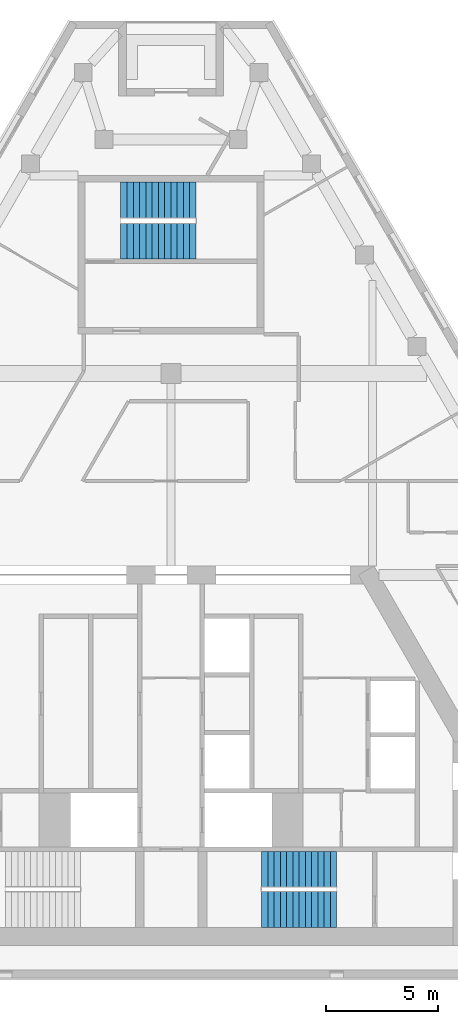
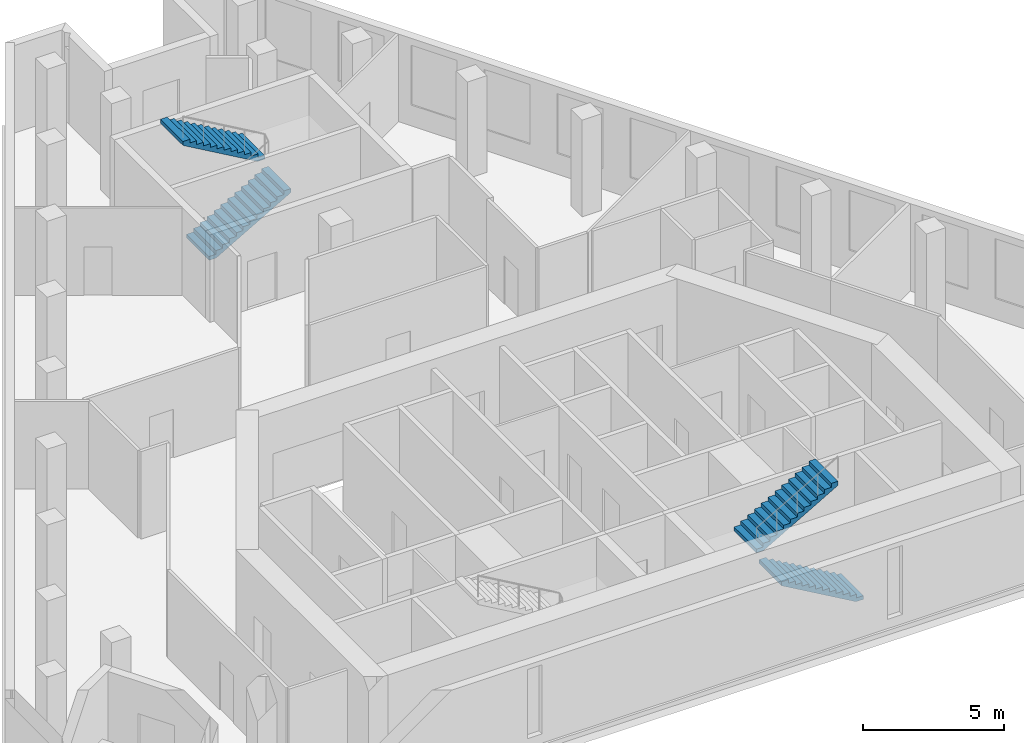
# One storey, part 7 of 8: 4 stair flights, 2 elements without a shape of their own.
"""IFC4 building model written with IfcOpenShell, lengths in metres."""

from ifc_helpers import new_model, si_unit, direction, frame, origin, place, context, subcontext, project, spatial, polyline, outline, extrude, material, type_object, element, aggregate, save


model = new_model("IFC4")

# Units and contexts
model_context = context("Model", 3, precision=1e-05, world=origin(), true_north=direction((0.0, 1.0)))
body_context = subcontext(model_context, "Body", "Model", "MODEL_VIEW")
ifc_project = project(units=[si_unit("LENGTHUNIT", "METRE"), si_unit("AREAUNIT", "SQUARE_METRE"), si_unit("VOLUMEUNIT", "CUBIC_METRE"), si_unit("PLANEANGLEUNIT", "RADIAN"), si_unit("MASSUNIT", "GRAM", prefix="KILO")], contexts=[model_context])

# Site, building, storey
site_placement = place(None, origin())
site = spatial("IfcSite", under=ifc_project, at=site_placement, CompositionType="ELEMENT")
building_placement = place(site_placement, origin())
building = spatial("IfcBuilding", under=site, at=building_placement, Name="Fogline Exchange Tower", CompositionType="ELEMENT")
storey_placement = place(building_placement, frame((0.0, 0.0, 309.89990234375)))
storey = spatial("IfcBuildingStorey", under=building, at=storey_placement, Name="L70", CompositionType="ELEMENT", Elevation=309.89990234375)

# Stair, stair flights
ifc_material = material(Name="Concrete C40", Category="concrete")
stair_type = type_object("IfcStairType", Name="STR26-1615", PredefinedType="HALF_TURN_STAIR", material=ifc_material)
stair_1_placement = place(storey_placement, origin())
stair_1 = element("IfcStair", 1, at=stair_1_placement, inside=storey, type_object=stair_type, Name="Stair ST2", PredefinedType="HALF_TURN_STAIR")
stair_flight_type = type_object("IfcStairFlightType", Name="SF13-1615", PredefinedType="STRAIGHT", material=ifc_material)
stair_flight_1_placement = place(storey_placement, frame((7.39990234375, 3.050048828125, 0.0), z_axis=(0.0, 0.0, 1.0), x_axis=(-1.0, 0.0, 0.0)))
stair_flight_1 = element("IfcStairFlight", 2, at=stair_flight_1_placement, type_object=stair_flight_type, Name="ST2 flight 1", NumberOfRisers=13, NumberOfTreads=12, PredefinedType="STRAIGHT", RiserHeight=0.161538462, TreadLength=0.28, context=body_context, shape_type="SweptSolid", body=[
    extrude(outline(polyline([(0.0, 0.0), (0.0, 0.16162109375), (0.280029296875, 0.16162109375), (0.280029296875, 0.322998046875), (0.56005859375, 0.322998046875), (0.56005859375, 0.484619140625), (0.840087890625, 0.484619140625), (0.840087890625, 0.646240234375), (1.1201171875, 0.646240234375), (1.1201171875, 0.8076171875), (1.39990234375, 0.8076171875), (1.39990234375, 0.96923828125), (1.679931640625, 0.96923828125), (1.679931640625, 1.130859375), (1.9599609375, 1.130859375), (1.9599609375, 1.292236328125), (2.239990234375, 1.292236328125), (2.239990234375, 1.453857421875), (2.52001953125, 1.453857421875), (2.52001953125, 1.615478515625), (2.800048828125, 1.615478515625), (2.800048828125, 1.77685546875), (3.080078125, 1.77685546875), (3.080078125, 1.9384765625), (3.360107421875, 1.9384765625), (3.360107421875, 2.10009765625), (3.360107421875, 1.765380859375), (0.300048828125, 0.0), (0.0, 0.0)])), frame((0.0, 0.800048828125, 0.0), z_axis=(0.0, -1.0, 0.0), x_axis=(1.0, 0.0, 0.0)), (0.0, 0.0, 1.0), 1.60009765625),
])
stair_flight_2_placement = place(storey_placement, frame((4.0400390625, 4.85009765625, 2.10009765625), z_axis=(0.0, 0.0, 1.0), x_axis=(1.0, 0.0, 0.0)))
stair_flight_2 = element("IfcStairFlight", 3, at=stair_flight_2_placement, type_object=stair_flight_type, Name="ST2 flight 2", NumberOfRisers=13, NumberOfTreads=12, PredefinedType="STRAIGHT", RiserHeight=0.161538462, TreadLength=0.28, context=body_context, shape_type="SweptSolid", body=[
    extrude(outline(polyline([(0.0, 0.0), (0.0, 0.16162109375), (0.280029296875, 0.16162109375), (0.280029296875, 0.322998046875), (0.56005859375, 0.322998046875), (0.56005859375, 0.484619140625), (0.840087890625, 0.484619140625), (0.840087890625, 0.646240234375), (1.1201171875, 0.646240234375), (1.1201171875, 0.8076171875), (1.39990234375, 0.8076171875), (1.39990234375, 0.96923828125), (1.679931640625, 0.96923828125), (1.679931640625, 1.130859375), (1.9599609375, 1.130859375), (1.9599609375, 1.292236328125), (2.239990234375, 1.292236328125), (2.239990234375, 1.453857421875), (2.52001953125, 1.453857421875), (2.52001953125, 1.615478515625), (2.800048828125, 1.615478515625), (2.800048828125, 1.77685546875), (3.080078125, 1.77685546875), (3.080078125, 1.9384765625), (3.360107421875, 1.9384765625), (3.360107421875, 2.10009765625), (3.360107421875, 1.765380859375), (0.300048828125, 0.0), (0.0, 0.0)])), frame((0.0, 0.800048828125, 0.0), z_axis=(0.0, -1.0, 0.0), x_axis=(1.0, 0.0, 0.0)), (0.0, 0.0, 1.0), 1.60009765625),
])
aggregate(stair_1, [stair_flight_1, stair_flight_2])

stair_2_placement = place(storey_placement, origin())
stair_2 = element("IfcStair", 4, at=stair_2_placement, inside=storey, type_object=stair_type, Name="Stair ST3", PredefinedType="HALF_TURN_STAIR")
stair_flight_3_placement = place(storey_placement, frame((-2.25, 32.906982421875, 0.0), z_axis=(0.0, 0.0, 1.0), x_axis=(1.0, 0.0, 0.0)))
stair_flight_3 = element("IfcStairFlight", 5, at=stair_flight_3_placement, type_object=stair_flight_type, Name="ST3 flight 1", NumberOfRisers=13, NumberOfTreads=12, PredefinedType="STRAIGHT", RiserHeight=0.161538462, TreadLength=0.28, context=body_context, shape_type="SweptSolid", body=[
    extrude(outline(polyline([(0.0, 0.0), (0.0, 0.16162109375), (0.280029296875, 0.16162109375), (0.280029296875, 0.322998046875), (0.56005859375, 0.322998046875), (0.56005859375, 0.484619140625), (0.840087890625, 0.484619140625), (0.840087890625, 0.646240234375), (1.1201171875, 0.646240234375), (1.1201171875, 0.8076171875), (1.39990234375, 0.8076171875), (1.39990234375, 0.96923828125), (1.679931640625, 0.96923828125), (1.679931640625, 1.130859375), (1.9599609375, 1.130859375), (1.9599609375, 1.292236328125), (2.239990234375, 1.292236328125), (2.239990234375, 1.453857421875), (2.52001953125, 1.453857421875), (2.52001953125, 1.615478515625), (2.800048828125, 1.615478515625), (2.800048828125, 1.77685546875), (3.080078125, 1.77685546875), (3.080078125, 1.9384765625), (3.360107421875, 1.9384765625), (3.360107421875, 2.10009765625), (3.360107421875, 1.765380859375), (0.300048828125, 0.0), (0.0, 0.0)])), frame((0.0, 0.800048828125, 0.0), z_axis=(0.0, -1.0, 0.0), x_axis=(1.0, 0.0, 0.0)), (0.0, 0.0, 1.0), 1.60009765625),
])
stair_flight_4_placement = place(storey_placement, frame((1.110107421875, 34.757080078125, 2.10009765625), z_axis=(0.0, 0.0, 1.0), x_axis=(-1.0, 0.0, 0.0)))
stair_flight_4 = element("IfcStairFlight", 6, at=stair_flight_4_placement, type_object=stair_flight_type, Name="ST3 flight 2", NumberOfRisers=13, NumberOfTreads=12, PredefinedType="STRAIGHT", RiserHeight=0.161538462, TreadLength=0.28, context=body_context, shape_type="SweptSolid", body=[
    extrude(outline(polyline([(0.0, 0.0), (0.0, 0.16162109375), (0.280029296875, 0.16162109375), (0.280029296875, 0.322998046875), (0.56005859375, 0.322998046875), (0.56005859375, 0.484619140625), (0.840087890625, 0.484619140625), (0.840087890625, 0.646240234375), (1.1201171875, 0.646240234375), (1.1201171875, 0.8076171875), (1.39990234375, 0.8076171875), (1.39990234375, 0.96923828125), (1.679931640625, 0.96923828125), (1.679931640625, 1.130859375), (1.9599609375, 1.130859375), (1.9599609375, 1.292236328125), (2.239990234375, 1.292236328125), (2.239990234375, 1.453857421875), (2.52001953125, 1.453857421875), (2.52001953125, 1.615478515625), (2.800048828125, 1.615478515625), (2.800048828125, 1.77685546875), (3.080078125, 1.77685546875), (3.080078125, 1.9384765625), (3.360107421875, 1.9384765625), (3.360107421875, 2.10009765625), (3.360107421875, 1.765380859375), (0.300048828125, 0.0), (0.0, 0.0)])), frame((0.0, 0.800048828125, 0.0), z_axis=(0.0, -1.0, 0.0), x_axis=(1.0, 0.0, 0.0)), (0.0, 0.0, 1.0), 1.60009765625),
])
aggregate(stair_2, [stair_flight_3, stair_flight_4])

save(model, "model.ifc")
